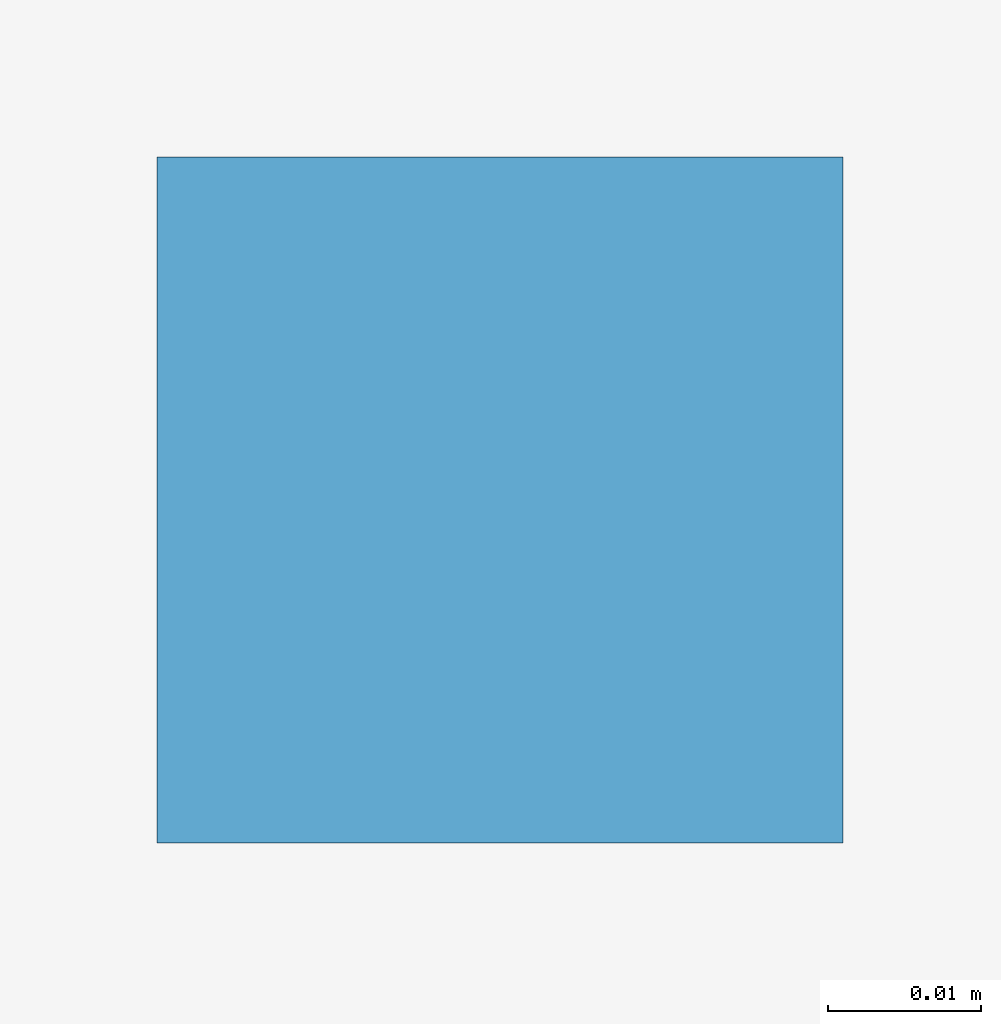
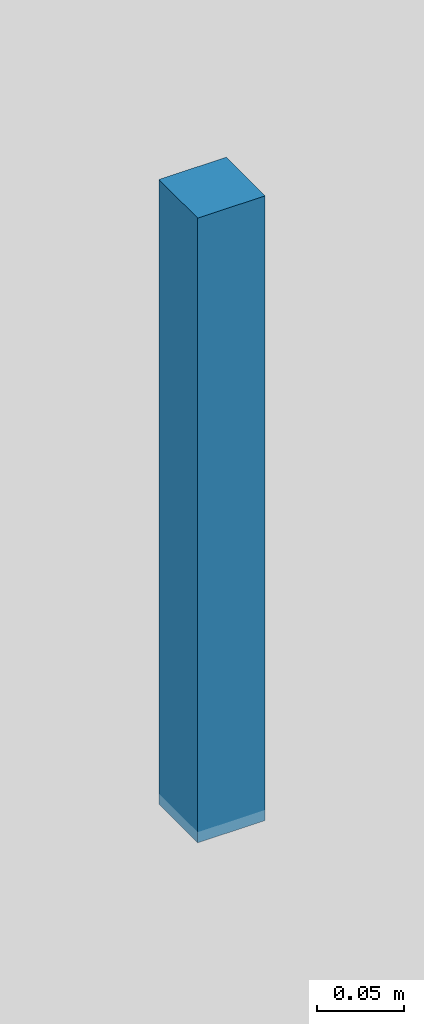
# One storey, part 72 of 95: 1 discrete accessory.
"""IFC4 building model written with IfcOpenShell, lengths in metres."""

from ifc_helpers import new_model, si_unit, derived_unit, direction, frame, origin, origin_2d, place, context, subcontext, project, spatial, rectangle, extrude, material, type_object, element, save


model = new_model("IFC4")

# Units and contexts
model_context = context("Model", 3, precision=1e-05, world=origin(), true_north=direction((0.0, 1.0)))
body_context = subcontext(model_context, "Body", "Model", "MODEL_VIEW")
ifc_project = project(units=[si_unit("LENGTHUNIT", "METRE"), si_unit("AREAUNIT", "SQUARE_METRE"), si_unit("VOLUMEUNIT", "CUBIC_METRE"), si_unit("PLANEANGLEUNIT", "RADIAN"), si_unit("MASSUNIT", "GRAM", prefix="KILO"), derived_unit("THERMALTRANSMITTANCEUNIT", [(si_unit("POWERUNIT", "WATT"), 1), (si_unit("LENGTHUNIT", "METRE"), -2), (si_unit("THERMODYNAMICTEMPERATUREUNIT", "KELVIN"), -1)])], contexts=[model_context])

# Site, building, storey
site_placement = place(None, origin())
site = spatial("IfcSite", under=ifc_project, at=site_placement, CompositionType="ELEMENT")
building_placement = place(site_placement, origin())
building = spatial("IfcBuilding", under=site, at=building_placement, Name="Braskholm Square Health Centre", CompositionType="ELEMENT")
storey_placement = place(building_placement, frame((0.0, 0.0, 4.800048828125)))
storey = spatial("IfcBuildingStorey", under=building, at=storey_placement, Name="L02", CompositionType="ELEMENT", Elevation=4.800048828125)

# Discrete accessory
ifc_material = material(Name="Steel ASTM A500 Grade C", Category="steel")
discrete_accessory_type = type_object("IfcDiscreteAccessoryType", Name="CeilingSuspensionBracket", PredefinedType="BRACKET", material=ifc_material)
discrete_accessory_placement = place(storey_placement, frame((35.199951171875, 91.75, 3.77197265625), z_axis=(0.0, 0.0, 1.0), x_axis=(1.0, 0.0, 0.0)))
element("IfcDiscreteAccessory", 1, at=discrete_accessory_placement, inside=storey, type_object=discrete_accessory_type, Name="Ceiling hanger bracket 0035", PredefinedType="BRACKET", context=body_context, shape_type="SweptSolid", body=[
    extrude(rectangle(XDim=0.044921875, YDim=0.044921875, at=origin_2d()), origin(), (0.0, 0.0, 1.0), 0.43994140625),
])

save(model, "model.ifc")
